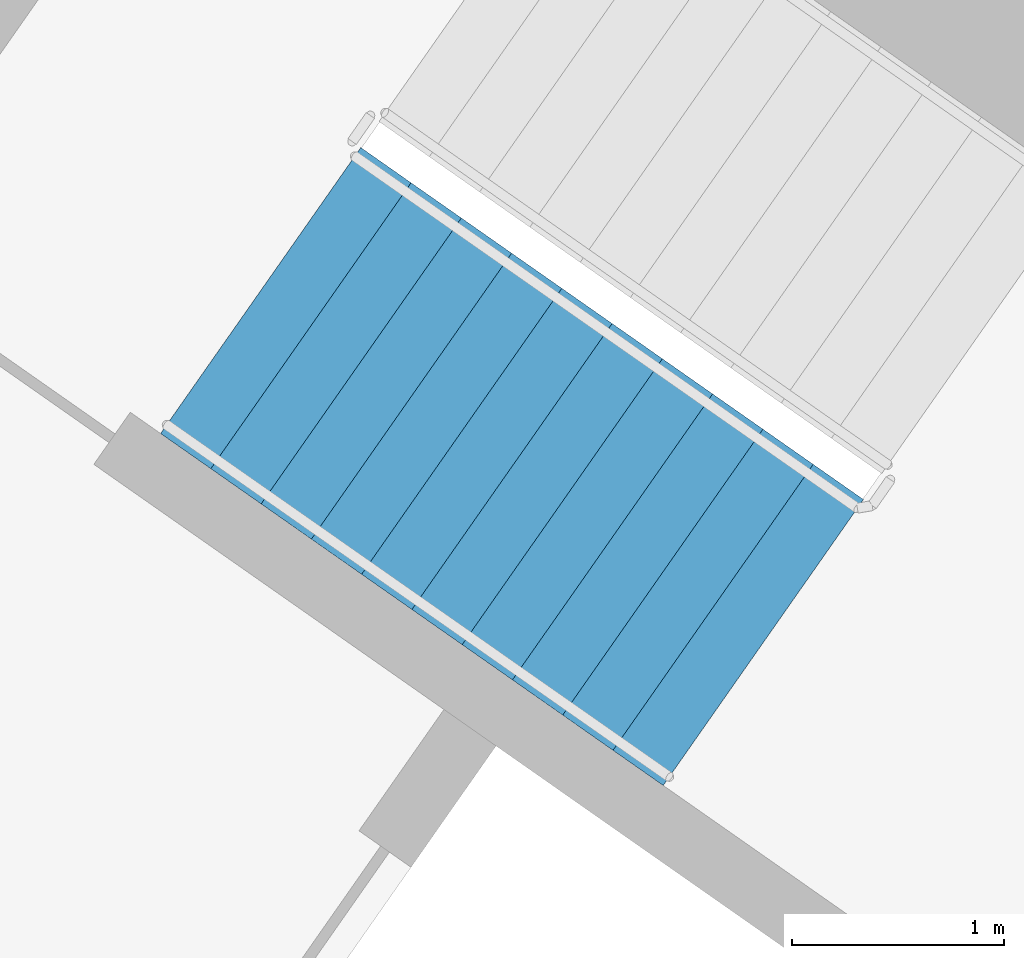
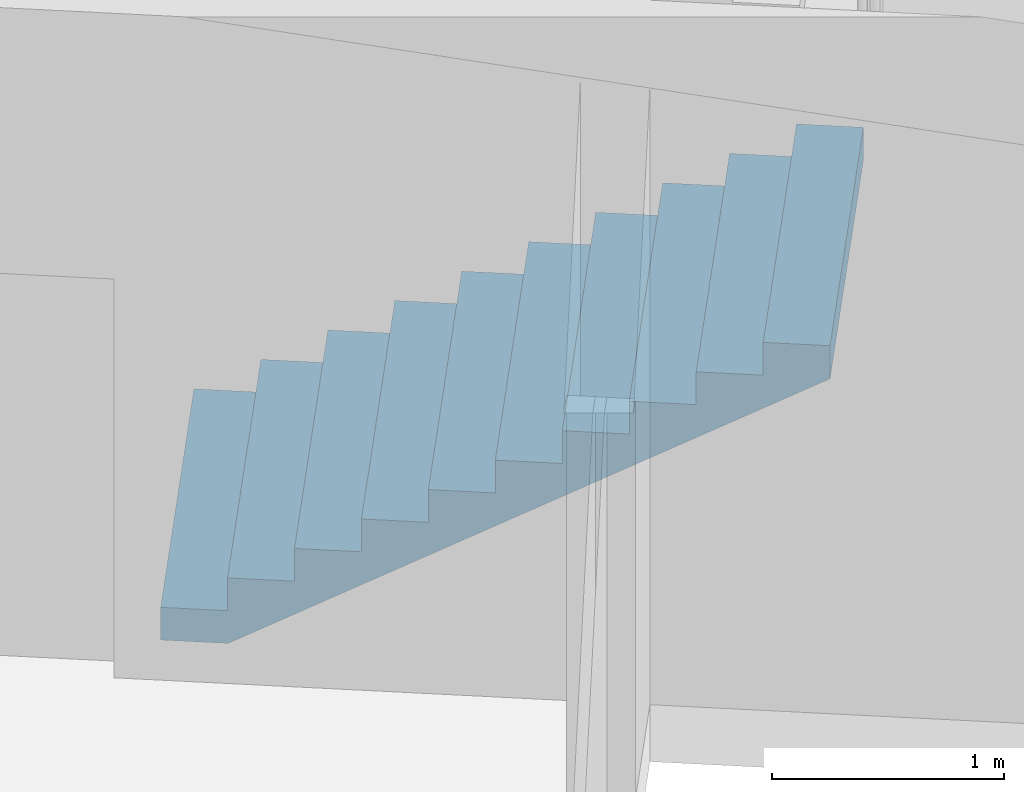
# One storey, part 12 of 29: 1 stair flight, 1 element without a shape of its own.
"""IFC4 building model written with IfcOpenShell, lengths in metres."""

from ifc_helpers import new_model, si_unit, direction, frame, origin, place, context, subcontext, project, spatial, faceted_brep, material, type_object, element, aggregate, save


model = new_model("IFC4")

# Units and contexts
model_context = context("Model", 3, precision=1e-05, world=origin(), true_north=direction((0.0, 1.0)))
body_context = subcontext(model_context, "Body", "Model", "MODEL_VIEW")
ifc_project = project(units=[si_unit("LENGTHUNIT", "METRE"), si_unit("AREAUNIT", "SQUARE_METRE"), si_unit("VOLUMEUNIT", "CUBIC_METRE"), si_unit("PLANEANGLEUNIT", "RADIAN"), si_unit("MASSUNIT", "GRAM", prefix="KILO")], contexts=[model_context])

# Site, building, storey
site_placement = place(None, origin())
site = spatial("IfcSite", under=ifc_project, at=site_placement, CompositionType="ELEMENT")
building_placement = place(site_placement, origin())
building = spatial("IfcBuilding", under=site, at=building_placement, Name="Qamariyya Broadcast Tower", CompositionType="ELEMENT")
storey_placement = place(building_placement, frame((0.0, 0.0, 136.699951171875)))
storey = spatial("IfcBuildingStorey", under=building, at=storey_placement, Name="L31", CompositionType="ELEMENT", Elevation=136.699951171875)

# Stair, stair flight
ifc_material = material(Name="Concrete C50/60", Category="concrete")
stair_type = type_object("IfcStairType", Name="Exit stair 22 risers of 173 mm", PredefinedType="HALF_TURN_STAIR", material=ifc_material)
stair_placement = place(storey_placement, origin())
stair = element("IfcStair", 1, at=stair_placement, inside=storey, type_object=stair_type, Name="L31 Stair W2", PredefinedType="HALF_TURN_STAIR")
stair_flight_type = type_object("IfcStairFlightType", Name="Exit stair flight 11 risers of 173 mm", PredefinedType="STRAIGHT", material=ifc_material)
stair_flight_placement = place(storey_placement, frame((-41.59130859375, -49.15966796875, 0.0), z_axis=(0.0, 0.0, 1.0), x_axis=(0.819152044289, -0.573576436351, 0.0)))
stair_flight = element("IfcStairFlight", 2, at=stair_flight_placement, type_object=stair_flight_type, Name="ST-W2 flight 1", NumberOfRisers=11, NumberOfTreads=10, PredefinedType="STRAIGHT", RiserHeight=0.172727273, TreadLength=0.29, context=body_context, shape_type="Brep", body=[
    faceted_brep([(0.0, 0.824951171875, 0.0), (0.0, 0.824951171875, 0.172607421875), (0.2900390625, 0.824951171875, 0.172607421875), (0.2900390625, 0.824951171875, 0.345458984375), (0.580078125, 0.824951171875, 0.345458984375), (0.580078125, 0.824951171875, 0.51806640625), (0.8701171875, 0.824951171875, 0.51806640625), (0.8701171875, 0.824951171875, 0.69091796875), (1.159912109375, 0.824951171875, 0.69091796875), (1.159912109375, 0.824951171875, 0.863525390625), (1.449951171875, 0.824951171875, 0.863525390625), (1.449951171875, 0.824951171875, 1.036376953125), (1.739990234375, 0.824951171875, 1.036376953125), (1.739990234375, 0.824951171875, 1.208984375), (2.030029296875, 0.824951171875, 1.208984375), (2.030029296875, 0.824951171875, 1.3818359375), (2.320068359375, 0.824951171875, 1.3818359375), (2.320068359375, 0.824951171875, 1.554443359375), (2.610107421875, 0.824951171875, 1.554443359375), (2.610107421875, 0.824951171875, 1.727294921875), (2.89990234375, 0.824951171875, 1.727294921875), (2.89990234375, 0.824951171875, 1.552734375), (0.29296875, 0.824951171875, 0.0), (0.29296875, -0.824951171875, 0.0), (2.89990234375, -0.824951171875, 1.552734375), (2.89990234375, -0.824951171875, 1.727294921875), (2.610107421875, -0.824951171875, 1.727294921875), (2.610107421875, -0.824951171875, 1.554443359375), (2.320068359375, -0.824951171875, 1.554443359375), (2.320068359375, -0.824951171875, 1.3818359375), (2.030029296875, -0.824951171875, 1.3818359375), (2.030029296875, -0.824951171875, 1.208984375), (1.739990234375, -0.824951171875, 1.208984375), (1.739990234375, -0.824951171875, 1.036376953125), (1.449951171875, -0.824951171875, 1.036376953125), (1.449951171875, -0.824951171875, 0.863525390625), (1.159912109375, -0.824951171875, 0.863525390625), (1.159912109375, -0.824951171875, 0.69091796875), (0.8701171875, -0.824951171875, 0.69091796875), (0.8701171875, -0.824951171875, 0.51806640625), (0.580078125, -0.824951171875, 0.51806640625), (0.580078125, -0.824951171875, 0.345458984375), (0.2900390625, -0.824951171875, 0.345458984375), (0.2900390625, -0.824951171875, 0.172607421875), (0.0, -0.824951171875, 0.172607421875), (0.0, -0.824951171875, 0.0), (0.0, 0.10009765625, 0.0), (0.0, 0.086669921875, 0.0), (0.0, 0.0732421875, 0.0), (0.0, 0.06005859375, 0.0), (0.0, 0.046630859375, 0.0), (0.0, 0.033447265625, 0.0), (0.0, 0.02001953125, 0.0), (0.0, 0.006591796875, 0.0), (0.0, -0.006591796875, 0.0), (0.0, -0.02001953125, 0.0), (0.0, -0.033447265625, 0.0), (0.0, -0.046630859375, 0.0), (0.0, -0.06005859375, 0.0), (0.0, -0.0732421875, 0.0), (0.0, -0.086669921875, 0.0), (0.0, -0.10009765625, 0.0), (0.0, -0.10009765625, 0.172607421875), (0.0, -0.086669921875, 0.172607421875), (0.0, -0.0732421875, 0.172607421875), (0.0, -0.06005859375, 0.172607421875), (0.0, -0.046630859375, 0.172607421875), (0.0, -0.033447265625, 0.172607421875), (0.0, -0.02001953125, 0.172607421875), (0.0, -0.006591796875, 0.172607421875), (0.0, 0.006591796875, 0.172607421875), (0.0, 0.02001953125, 0.172607421875), (0.0, 0.033447265625, 0.172607421875), (0.0, 0.046630859375, 0.172607421875), (0.0, 0.06005859375, 0.172607421875), (0.0, 0.0732421875, 0.172607421875), (0.0, 0.086669921875, 0.172607421875), (0.0, 0.10009765625, 0.172607421875), (0.2900390625, -0.10009765625, 0.172607421875), (0.2900390625, -0.086669921875, 0.172607421875), (0.2900390625, -0.0732421875, 0.172607421875), (0.2900390625, -0.06005859375, 0.172607421875), (0.2900390625, -0.046630859375, 0.172607421875), (0.2900390625, -0.033447265625, 0.172607421875), (0.2900390625, -0.02001953125, 0.172607421875), (0.2900390625, -0.006591796875, 0.172607421875), (0.2900390625, 0.006591796875, 0.172607421875), (0.2900390625, 0.02001953125, 0.172607421875), (0.2900390625, 0.033447265625, 0.172607421875), (0.2900390625, 0.046630859375, 0.172607421875), (0.2900390625, 0.06005859375, 0.172607421875), (0.2900390625, 0.0732421875, 0.172607421875), (0.2900390625, 0.086669921875, 0.172607421875), (0.2900390625, 0.10009765625, 0.172607421875), (0.2900390625, -0.10009765625, 0.345458984375), (0.2900390625, -0.086669921875, 0.345458984375), (0.2900390625, -0.0732421875, 0.345458984375), (0.2900390625, -0.06005859375, 0.345458984375), (0.2900390625, -0.046630859375, 0.345458984375), (0.2900390625, -0.033447265625, 0.345458984375), (0.2900390625, -0.02001953125, 0.345458984375), (0.2900390625, -0.006591796875, 0.345458984375), (0.2900390625, 0.006591796875, 0.345458984375), (0.2900390625, 0.02001953125, 0.345458984375), (0.2900390625, 0.033447265625, 0.345458984375), (0.2900390625, 0.046630859375, 0.345458984375), (0.2900390625, 0.06005859375, 0.345458984375), (0.2900390625, 0.0732421875, 0.345458984375), (0.2900390625, 0.086669921875, 0.345458984375), (0.2900390625, 0.10009765625, 0.345458984375), (0.580078125, -0.10009765625, 0.345458984375), (0.580078125, -0.086669921875, 0.345458984375), (0.580078125, -0.0732421875, 0.345458984375), (0.580078125, -0.06005859375, 0.345458984375), (0.580078125, -0.046630859375, 0.345458984375), (0.580078125, -0.033447265625, 0.345458984375), (0.580078125, -0.02001953125, 0.345458984375), (0.580078125, -0.006591796875, 0.345458984375), (0.580078125, 0.006591796875, 0.345458984375), (0.580078125, 0.02001953125, 0.345458984375), (0.580078125, 0.033447265625, 0.345458984375), (0.580078125, 0.046630859375, 0.345458984375), (0.580078125, 0.06005859375, 0.345458984375), (0.580078125, 0.0732421875, 0.345458984375), (0.580078125, 0.086669921875, 0.345458984375), (0.580078125, 0.10009765625, 0.345458984375), (0.580078125, -0.10009765625, 0.51806640625), (0.580078125, -0.086669921875, 0.51806640625), (0.580078125, -0.0732421875, 0.51806640625), (0.580078125, -0.06005859375, 0.51806640625), (0.580078125, -0.046630859375, 0.51806640625), (0.580078125, -0.033447265625, 0.51806640625), (0.580078125, -0.02001953125, 0.51806640625), (0.580078125, -0.006591796875, 0.51806640625), (0.580078125, 0.006591796875, 0.51806640625), (0.580078125, 0.02001953125, 0.51806640625), (0.580078125, 0.033447265625, 0.51806640625), (0.580078125, 0.046630859375, 0.51806640625), (0.580078125, 0.06005859375, 0.51806640625), (0.580078125, 0.0732421875, 0.51806640625), (0.580078125, 0.086669921875, 0.51806640625), (0.580078125, 0.10009765625, 0.51806640625), (0.8701171875, -0.10009765625, 0.51806640625), (0.8701171875, -0.086669921875, 0.51806640625), (0.8701171875, -0.0732421875, 0.51806640625), (0.8701171875, -0.06005859375, 0.51806640625), (0.8701171875, -0.046630859375, 0.51806640625), (0.8701171875, -0.033447265625, 0.51806640625), (0.8701171875, -0.02001953125, 0.51806640625), (0.8701171875, -0.006591796875, 0.51806640625), (0.8701171875, 0.006591796875, 0.51806640625), (0.8701171875, 0.02001953125, 0.51806640625), (0.8701171875, 0.033447265625, 0.51806640625), (0.8701171875, 0.046630859375, 0.51806640625), (0.8701171875, 0.06005859375, 0.51806640625), (0.8701171875, 0.0732421875, 0.51806640625), (0.8701171875, 0.086669921875, 0.51806640625), (0.8701171875, 0.10009765625, 0.51806640625), (0.8701171875, -0.10009765625, 0.69091796875), (0.8701171875, -0.086669921875, 0.69091796875), (0.8701171875, -0.0732421875, 0.69091796875), (0.8701171875, -0.06005859375, 0.69091796875), (0.8701171875, -0.046630859375, 0.69091796875), (0.8701171875, -0.033447265625, 0.69091796875), (0.8701171875, -0.02001953125, 0.69091796875), (0.8701171875, -0.006591796875, 0.69091796875), (0.8701171875, 0.006591796875, 0.69091796875), (0.8701171875, 0.02001953125, 0.69091796875), (0.8701171875, 0.033447265625, 0.69091796875), (0.8701171875, 0.046630859375, 0.69091796875), (0.8701171875, 0.06005859375, 0.69091796875), (0.8701171875, 0.0732421875, 0.69091796875), (0.8701171875, 0.086669921875, 0.69091796875), (0.8701171875, 0.10009765625, 0.69091796875), (1.159912109375, -0.10009765625, 0.69091796875), (1.159912109375, -0.086669921875, 0.69091796875), (1.159912109375, -0.0732421875, 0.69091796875), (1.159912109375, -0.06005859375, 0.69091796875), (1.159912109375, -0.046630859375, 0.69091796875), (1.159912109375, -0.033447265625, 0.69091796875), (1.159912109375, -0.02001953125, 0.69091796875), (1.159912109375, -0.006591796875, 0.69091796875), (1.159912109375, 0.006591796875, 0.69091796875), (1.159912109375, 0.02001953125, 0.69091796875), (1.159912109375, 0.033447265625, 0.69091796875), (1.159912109375, 0.046630859375, 0.69091796875), (1.159912109375, 0.06005859375, 0.69091796875), (1.159912109375, 0.0732421875, 0.69091796875), (1.159912109375, 0.086669921875, 0.69091796875), (1.159912109375, 0.10009765625, 0.69091796875), (1.159912109375, -0.10009765625, 0.863525390625), (1.159912109375, -0.086669921875, 0.863525390625), (1.159912109375, -0.0732421875, 0.863525390625), (1.159912109375, -0.06005859375, 0.863525390625), (1.159912109375, -0.046630859375, 0.863525390625), (1.159912109375, -0.033447265625, 0.863525390625), (1.159912109375, -0.02001953125, 0.863525390625), (1.159912109375, -0.006591796875, 0.863525390625), (1.159912109375, 0.006591796875, 0.863525390625), (1.159912109375, 0.02001953125, 0.863525390625), (1.159912109375, 0.033447265625, 0.863525390625), (1.159912109375, 0.046630859375, 0.863525390625), (1.159912109375, 0.06005859375, 0.863525390625), (1.159912109375, 0.0732421875, 0.863525390625), (1.159912109375, 0.086669921875, 0.863525390625), (1.159912109375, 0.10009765625, 0.863525390625), (1.449951171875, -0.10009765625, 0.863525390625), (1.449951171875, -0.086669921875, 0.863525390625), (1.449951171875, -0.0732421875, 0.863525390625), (1.449951171875, -0.06005859375, 0.863525390625), (1.449951171875, -0.046630859375, 0.863525390625), (1.449951171875, -0.033447265625, 0.863525390625), (1.449951171875, -0.02001953125, 0.863525390625), (1.449951171875, -0.006591796875, 0.863525390625), (1.449951171875, 0.006591796875, 0.863525390625), (1.449951171875, 0.02001953125, 0.863525390625), (1.449951171875, 0.033447265625, 0.863525390625), (1.449951171875, 0.046630859375, 0.863525390625), (1.449951171875, 0.06005859375, 0.863525390625), (1.449951171875, 0.0732421875, 0.863525390625), (1.449951171875, 0.086669921875, 0.863525390625), (1.449951171875, 0.10009765625, 0.863525390625), (1.449951171875, -0.10009765625, 1.036376953125), (1.449951171875, -0.086669921875, 1.036376953125), (1.449951171875, -0.0732421875, 1.036376953125), (1.449951171875, -0.06005859375, 1.036376953125), (1.449951171875, -0.046630859375, 1.036376953125), (1.449951171875, -0.033447265625, 1.036376953125), (1.449951171875, -0.02001953125, 1.036376953125), (1.449951171875, -0.006591796875, 1.036376953125), (1.449951171875, 0.006591796875, 1.036376953125), (1.449951171875, 0.02001953125, 1.036376953125), (1.449951171875, 0.033447265625, 1.036376953125), (1.449951171875, 0.046630859375, 1.036376953125), (1.449951171875, 0.06005859375, 1.036376953125), (1.449951171875, 0.0732421875, 1.036376953125), (1.449951171875, 0.086669921875, 1.036376953125), (1.449951171875, 0.10009765625, 1.036376953125), (1.739990234375, -0.10009765625, 1.036376953125), (1.739990234375, -0.086669921875, 1.036376953125), (1.739990234375, -0.0732421875, 1.036376953125), (1.739990234375, -0.06005859375, 1.036376953125), (1.739990234375, -0.046630859375, 1.036376953125), (1.739990234375, -0.033447265625, 1.036376953125), (1.739990234375, -0.02001953125, 1.036376953125), (1.739990234375, -0.006591796875, 1.036376953125), (1.739990234375, 0.006591796875, 1.036376953125), (1.739990234375, 0.02001953125, 1.036376953125), (1.739990234375, 0.033447265625, 1.036376953125), (1.739990234375, 0.046630859375, 1.036376953125), (1.739990234375, 0.06005859375, 1.036376953125), (1.739990234375, 0.0732421875, 1.036376953125), (1.739990234375, 0.086669921875, 1.036376953125), (1.739990234375, 0.10009765625, 1.036376953125), (1.739990234375, -0.10009765625, 1.208984375), (1.739990234375, -0.086669921875, 1.208984375), (1.739990234375, -0.0732421875, 1.208984375), (1.739990234375, -0.06005859375, 1.208984375), (1.739990234375, -0.046630859375, 1.208984375), (1.739990234375, -0.033447265625, 1.208984375), (1.739990234375, -0.02001953125, 1.208984375), (1.739990234375, -0.006591796875, 1.208984375), (1.739990234375, 0.006591796875, 1.208984375), (1.739990234375, 0.02001953125, 1.208984375), (1.739990234375, 0.033447265625, 1.208984375), (1.739990234375, 0.046630859375, 1.208984375), (1.739990234375, 0.06005859375, 1.208984375), (1.739990234375, 0.0732421875, 1.208984375), (1.739990234375, 0.086669921875, 1.208984375), (1.739990234375, 0.10009765625, 1.208984375), (2.030029296875, -0.10009765625, 1.208984375), (2.030029296875, -0.086669921875, 1.208984375), (2.030029296875, -0.0732421875, 1.208984375), (2.030029296875, -0.06005859375, 1.208984375), (2.030029296875, -0.046630859375, 1.208984375), (2.030029296875, -0.033447265625, 1.208984375), (2.030029296875, -0.02001953125, 1.208984375), (2.030029296875, -0.006591796875, 1.208984375), (2.030029296875, 0.006591796875, 1.208984375), (2.030029296875, 0.02001953125, 1.208984375), (2.030029296875, 0.033447265625, 1.208984375), (2.030029296875, 0.046630859375, 1.208984375), (2.030029296875, 0.06005859375, 1.208984375), (2.030029296875, 0.0732421875, 1.208984375), (2.030029296875, 0.086669921875, 1.208984375), (2.030029296875, 0.10009765625, 1.208984375), (2.030029296875, -0.10009765625, 1.3818359375), (2.030029296875, -0.086669921875, 1.3818359375), (2.030029296875, -0.0732421875, 1.3818359375), (2.030029296875, -0.06005859375, 1.3818359375), (2.030029296875, -0.046630859375, 1.3818359375), (2.030029296875, -0.033447265625, 1.3818359375), (2.030029296875, -0.02001953125, 1.3818359375), (2.030029296875, -0.006591796875, 1.3818359375), (2.030029296875, 0.006591796875, 1.3818359375), (2.030029296875, 0.02001953125, 1.3818359375), (2.030029296875, 0.033447265625, 1.3818359375), (2.030029296875, 0.046630859375, 1.3818359375), (2.030029296875, 0.06005859375, 1.3818359375), (2.030029296875, 0.0732421875, 1.3818359375), (2.030029296875, 0.086669921875, 1.3818359375), (2.030029296875, 0.10009765625, 1.3818359375), (2.320068359375, -0.10009765625, 1.3818359375), (2.320068359375, -0.086669921875, 1.3818359375), (2.320068359375, -0.0732421875, 1.3818359375), (2.320068359375, -0.06005859375, 1.3818359375), (2.320068359375, -0.046630859375, 1.3818359375), (2.320068359375, -0.033447265625, 1.3818359375), (2.320068359375, -0.02001953125, 1.3818359375), (2.320068359375, -0.006591796875, 1.3818359375), (2.320068359375, 0.006591796875, 1.3818359375), (2.320068359375, 0.02001953125, 1.3818359375), (2.320068359375, 0.033447265625, 1.3818359375), (2.320068359375, 0.046630859375, 1.3818359375), (2.320068359375, 0.06005859375, 1.3818359375), (2.320068359375, 0.0732421875, 1.3818359375), (2.320068359375, 0.086669921875, 1.3818359375), (2.320068359375, 0.10009765625, 1.3818359375), (2.320068359375, -0.10009765625, 1.554443359375), (2.320068359375, -0.086669921875, 1.554443359375), (2.320068359375, -0.0732421875, 1.554443359375), (2.320068359375, -0.06005859375, 1.554443359375), (2.320068359375, -0.046630859375, 1.554443359375), (2.320068359375, -0.033447265625, 1.554443359375), (2.320068359375, -0.02001953125, 1.554443359375), (2.320068359375, -0.006591796875, 1.554443359375), (2.320068359375, 0.006591796875, 1.554443359375), (2.320068359375, 0.02001953125, 1.554443359375), (2.320068359375, 0.033447265625, 1.554443359375), (2.320068359375, 0.046630859375, 1.554443359375), (2.320068359375, 0.06005859375, 1.554443359375), (2.320068359375, 0.0732421875, 1.554443359375), (2.320068359375, 0.086669921875, 1.554443359375), (2.320068359375, 0.10009765625, 1.554443359375), (2.610107421875, -0.10009765625, 1.554443359375), (2.610107421875, -0.086669921875, 1.554443359375), (2.610107421875, -0.0732421875, 1.554443359375), (2.610107421875, -0.06005859375, 1.554443359375), (2.610107421875, -0.046630859375, 1.554443359375), (2.610107421875, -0.033447265625, 1.554443359375), (2.610107421875, -0.02001953125, 1.554443359375), (2.610107421875, -0.006591796875, 1.554443359375), (2.610107421875, 0.006591796875, 1.554443359375), (2.610107421875, 0.02001953125, 1.554443359375), (2.610107421875, 0.033447265625, 1.554443359375), (2.610107421875, 0.046630859375, 1.554443359375), (2.610107421875, 0.06005859375, 1.554443359375), (2.610107421875, 0.0732421875, 1.554443359375), (2.610107421875, 0.086669921875, 1.554443359375), (2.610107421875, 0.10009765625, 1.554443359375), (2.610107421875, -0.10009765625, 1.727294921875), (2.610107421875, -0.086669921875, 1.727294921875), (2.610107421875, -0.0732421875, 1.727294921875), (2.610107421875, -0.06005859375, 1.727294921875), (2.610107421875, -0.046630859375, 1.727294921875), (2.610107421875, -0.033447265625, 1.727294921875), (2.610107421875, -0.02001953125, 1.727294921875), (2.610107421875, -0.006591796875, 1.727294921875), (2.610107421875, 0.006591796875, 1.727294921875), (2.610107421875, 0.02001953125, 1.727294921875), (2.610107421875, 0.033447265625, 1.727294921875), (2.610107421875, 0.046630859375, 1.727294921875), (2.610107421875, 0.06005859375, 1.727294921875), (2.610107421875, 0.0732421875, 1.727294921875), (2.610107421875, 0.086669921875, 1.727294921875), (2.610107421875, 0.10009765625, 1.727294921875), (2.89990234375, -0.10009765625, 1.727294921875), (2.89990234375, -0.086669921875, 1.727294921875), (2.89990234375, -0.0732421875, 1.727294921875), (2.89990234375, -0.06005859375, 1.727294921875), (2.89990234375, -0.046630859375, 1.727294921875), (2.89990234375, -0.033447265625, 1.727294921875), (2.89990234375, -0.02001953125, 1.727294921875), (2.89990234375, -0.006591796875, 1.727294921875), (2.89990234375, 0.006591796875, 1.727294921875), (2.89990234375, 0.02001953125, 1.727294921875), (2.89990234375, 0.033447265625, 1.727294921875), (2.89990234375, 0.046630859375, 1.727294921875), (2.89990234375, 0.06005859375, 1.727294921875), (2.89990234375, 0.0732421875, 1.727294921875), (2.89990234375, 0.086669921875, 1.727294921875), (2.89990234375, 0.10009765625, 1.727294921875), (2.89990234375, -0.10009765625, 1.552734375), (2.89990234375, -0.086669921875, 1.552734375), (2.89990234375, -0.0732421875, 1.552734375), (2.89990234375, -0.06005859375, 1.552734375), (2.89990234375, -0.046630859375, 1.552734375), (2.89990234375, -0.033447265625, 1.552734375), (2.89990234375, -0.02001953125, 1.552734375), (2.89990234375, -0.006591796875, 1.552734375), (2.89990234375, 0.006591796875, 1.552734375), (2.89990234375, 0.02001953125, 1.552734375), (2.89990234375, 0.033447265625, 1.552734375), (2.89990234375, 0.046630859375, 1.552734375), (2.89990234375, 0.06005859375, 1.552734375), (2.89990234375, 0.0732421875, 1.552734375), (2.89990234375, 0.086669921875, 1.552734375), (2.89990234375, 0.10009765625, 1.552734375), (0.29296875, -0.10009765625, 0.0), (0.29296875, -0.086669921875, 0.0), (0.29296875, -0.0732421875, 0.0), (0.29296875, -0.06005859375, 0.0), (0.29296875, -0.046630859375, 0.0), (0.29296875, -0.033447265625, 0.0), (0.29296875, -0.02001953125, 0.0), (0.29296875, -0.006591796875, 0.0), (0.29296875, 0.006591796875, 0.0), (0.29296875, 0.02001953125, 0.0), (0.29296875, 0.033447265625, 0.0), (0.29296875, 0.046630859375, 0.0), (0.29296875, 0.06005859375, 0.0), (0.29296875, 0.0732421875, 0.0), (0.29296875, 0.086669921875, 0.0), (0.29296875, 0.10009765625, 0.0)], [[[0, 1, 2, 3, 4, 5, 6, 7, 8, 9, 10, 11, 12, 13, 14, 15, 16, 17, 18, 19, 20, 21, 22]], [[23, 24, 25, 26, 27, 28, 29, 30, 31, 32, 33, 34, 35, 36, 37, 38, 39, 40, 41, 42, 43, 44, 45]], [[0, 46, 47, 48, 49, 50, 51, 52, 53, 54, 55, 56, 57, 58, 59, 60, 61, 45, 44, 62, 63, 64, 65, 66, 67, 68, 69, 70, 71, 72, 73, 74, 75, 76, 77, 1]], [[1, 77, 76, 75, 74, 73, 72, 71, 70, 69, 68, 67, 66, 65, 64, 63, 62, 44, 43, 78, 79, 80, 81, 82, 83, 84, 85, 86, 87, 88, 89, 90, 91, 92, 93, 2]], [[2, 93, 92, 91, 90, 89, 88, 87, 86, 85, 84, 83, 82, 81, 80, 79, 78, 43, 42, 94, 95, 96, 97, 98, 99, 100, 101, 102, 103, 104, 105, 106, 107, 108, 109, 3]], [[3, 109, 108, 107, 106, 105, 104, 103, 102, 101, 100, 99, 98, 97, 96, 95, 94, 42, 41, 110, 111, 112, 113, 114, 115, 116, 117, 118, 119, 120, 121, 122, 123, 124, 125, 4]], [[4, 125, 124, 123, 122, 121, 120, 119, 118, 117, 116, 115, 114, 113, 112, 111, 110, 41, 40, 126, 127, 128, 129, 130, 131, 132, 133, 134, 135, 136, 137, 138, 139, 140, 141, 5]], [[5, 141, 140, 139, 138, 137, 136, 135, 134, 133, 132, 131, 130, 129, 128, 127, 126, 40, 39, 142, 143, 144, 145, 146, 147, 148, 149, 150, 151, 152, 153, 154, 155, 156, 157, 6]], [[6, 157, 156, 155, 154, 153, 152, 151, 150, 149, 148, 147, 146, 145, 144, 143, 142, 39, 38, 158, 159, 160, 161, 162, 163, 164, 165, 166, 167, 168, 169, 170, 171, 172, 173, 7]], [[7, 173, 172, 171, 170, 169, 168, 167, 166, 165, 164, 163, 162, 161, 160, 159, 158, 38, 37, 174, 175, 176, 177, 178, 179, 180, 181, 182, 183, 184, 185, 186, 187, 188, 189, 8]], [[8, 189, 188, 187, 186, 185, 184, 183, 182, 181, 180, 179, 178, 177, 176, 175, 174, 37, 36, 190, 191, 192, 193, 194, 195, 196, 197, 198, 199, 200, 201, 202, 203, 204, 205, 9]], [[9, 205, 204, 203, 202, 201, 200, 199, 198, 197, 196, 195, 194, 193, 192, 191, 190, 36, 35, 206, 207, 208, 209, 210, 211, 212, 213, 214, 215, 216, 217, 218, 219, 220, 221, 10]], [[10, 221, 220, 219, 218, 217, 216, 215, 214, 213, 212, 211, 210, 209, 208, 207, 206, 35, 34, 222, 223, 224, 225, 226, 227, 228, 229, 230, 231, 232, 233, 234, 235, 236, 237, 11]], [[11, 237, 236, 235, 234, 233, 232, 231, 230, 229, 228, 227, 226, 225, 224, 223, 222, 34, 33, 238, 239, 240, 241, 242, 243, 244, 245, 246, 247, 248, 249, 250, 251, 252, 253, 12]], [[12, 253, 252, 251, 250, 249, 248, 247, 246, 245, 244, 243, 242, 241, 240, 239, 238, 33, 32, 254, 255, 256, 257, 258, 259, 260, 261, 262, 263, 264, 265, 266, 267, 268, 269, 13]], [[13, 269, 268, 267, 266, 265, 264, 263, 262, 261, 260, 259, 258, 257, 256, 255, 254, 32, 31, 270, 271, 272, 273, 274, 275, 276, 277, 278, 279, 280, 281, 282, 283, 284, 285, 14]], [[14, 285, 284, 283, 282, 281, 280, 279, 278, 277, 276, 275, 274, 273, 272, 271, 270, 31, 30, 286, 287, 288, 289, 290, 291, 292, 293, 294, 295, 296, 297, 298, 299, 300, 301, 15]], [[15, 301, 300, 299, 298, 297, 296, 295, 294, 293, 292, 291, 290, 289, 288, 287, 286, 30, 29, 302, 303, 304, 305, 306, 307, 308, 309, 310, 311, 312, 313, 314, 315, 316, 317, 16]], [[16, 317, 316, 315, 314, 313, 312, 311, 310, 309, 308, 307, 306, 305, 304, 303, 302, 29, 28, 318, 319, 320, 321, 322, 323, 324, 325, 326, 327, 328, 329, 330, 331, 332, 333, 17]], [[17, 333, 332, 331, 330, 329, 328, 327, 326, 325, 324, 323, 322, 321, 320, 319, 318, 28, 27, 334, 335, 336, 337, 338, 339, 340, 341, 342, 343, 344, 345, 346, 347, 348, 349, 18]], [[18, 349, 348, 347, 346, 345, 344, 343, 342, 341, 340, 339, 338, 337, 336, 335, 334, 27, 26, 350, 351, 352, 353, 354, 355, 356, 357, 358, 359, 360, 361, 362, 363, 364, 365, 19]], [[19, 365, 364, 363, 362, 361, 360, 359, 358, 357, 356, 355, 354, 353, 352, 351, 350, 26, 25, 366, 367, 368, 369, 370, 371, 372, 373, 374, 375, 376, 377, 378, 379, 380, 381, 20]], [[20, 381, 380, 379, 378, 377, 376, 375, 374, 373, 372, 371, 370, 369, 368, 367, 366, 25, 24, 382, 383, 384, 385, 386, 387, 388, 389, 390, 391, 392, 393, 394, 395, 396, 397, 21]], [[21, 397, 396, 395, 394, 393, 392, 391, 390, 389, 388, 387, 386, 385, 384, 383, 382, 24, 23, 398, 399, 400, 401, 402, 403, 404, 405, 406, 407, 408, 409, 410, 411, 412, 413, 22]], [[22, 413, 412, 411, 410, 409, 408, 407, 406, 405, 404, 403, 402, 401, 400, 399, 398, 23, 45, 61, 60, 59, 58, 57, 56, 55, 54, 53, 52, 51, 50, 49, 48, 47, 46, 0]]]),
])
aggregate(stair, [stair_flight])

save(model, "model.ifc")
